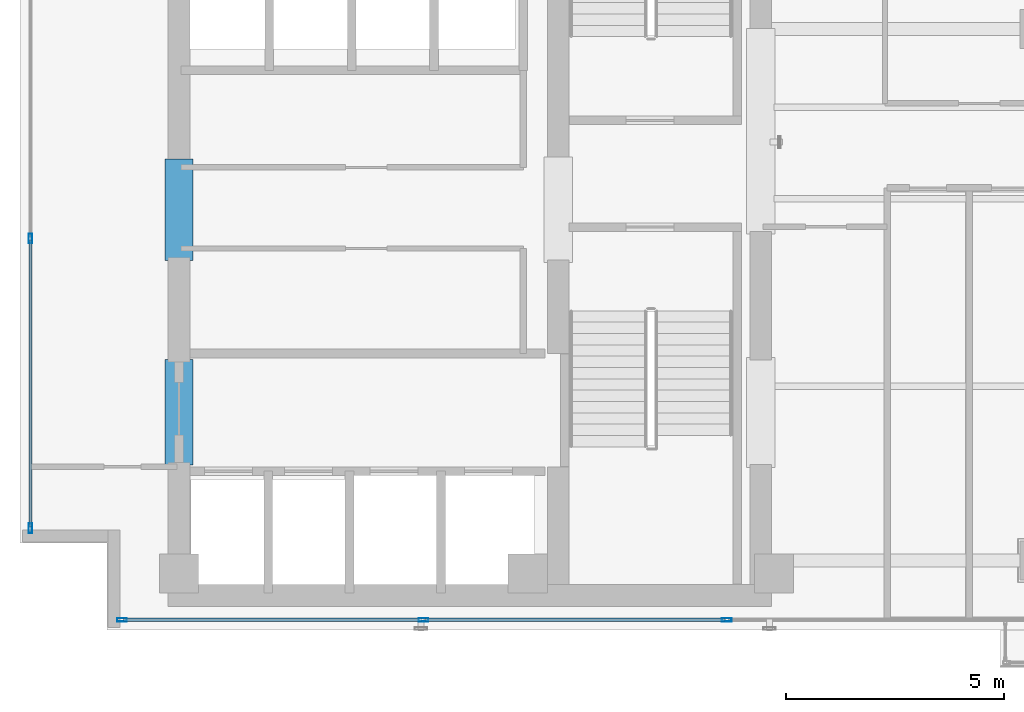
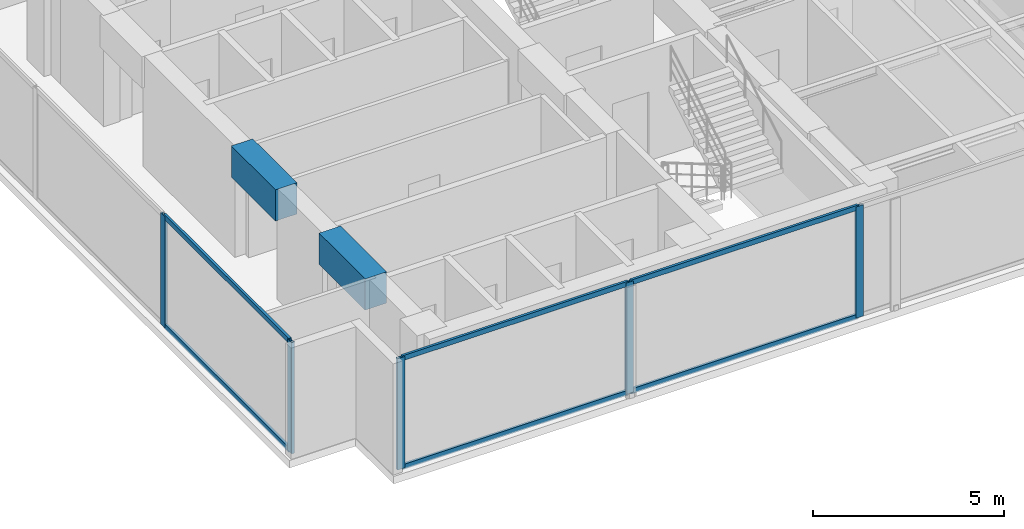
# One storey, part 2 of 22: 11 members, 2 beams, 2 elements without a shape of their own.
"""IFC4 building model written with IfcOpenShell, lengths in metres."""

from ifc_helpers import new_model, si_unit, direction, frame, origin, origin_with_axes, origin_2d, place, context, subcontext, project, spatial, rectangle, hollow_rectangle, extrude, source, transform, mapped, material, layer, layer_set, material_profile, profile_set, type_object, element, aggregate, save


model = new_model("IFC4")

# Units and contexts
model_context = context("Model", 3, precision=1e-05, world=origin(), true_north=direction((0.0, 1.0)))
body_context = subcontext(model_context, "Body", "Model", "MODEL_VIEW")
ifc_project = project(units=[si_unit("LENGTHUNIT", "METRE"), si_unit("AREAUNIT", "SQUARE_METRE"), si_unit("VOLUMEUNIT", "CUBIC_METRE"), si_unit("PLANEANGLEUNIT", "RADIAN"), si_unit("MASSUNIT", "GRAM", prefix="KILO")], contexts=[model_context])

# Site, building, storey
site_placement = place(None, origin())
site = spatial("IfcSite", under=ifc_project, at=site_placement, CompositionType="ELEMENT")
building_placement = place(site_placement, origin())
building = spatial("IfcBuilding", under=site, at=building_placement, Name="Kolvaren Waterfront Exchange", CompositionType="ELEMENT")
storey_placement = place(building_placement, frame((0.0, 0.0, 308.39990234375)))
storey = spatial("IfcBuildingStorey", under=building, at=storey_placement, Name="L79", CompositionType="ELEMENT", Elevation=308.39990234375)

# Beams
ifc_material_1 = material(Name="Concrete C60/75", Category="concrete")
ifc_material_profile_1 = material_profile(ifc_material_1, rectangle(XDim=0.64990234375, YDim=1.0, at=origin_2d()), Name="RC-CB-1000x650")
ifc_profile_set_1 = profile_set([ifc_material_profile_1], Name="Concrete C60/75")
beam_type = type_object("IfcBeamType", Name="STR-CB-1000", PredefinedType="SPANDREL", material=ifc_profile_set_1)
beam_1_placement = place(storey_placement, frame((7.449951171875, 7.389892578125, 3.06005859375), z_axis=(0.0, 1.0, 0.0), x_axis=(-1.0, 0.0, 0.0)))
element("IfcBeam", 1, at=beam_1_placement, inside=storey, type_object=beam_type, Name="L79 core coupling beam 3", PredefinedType="SPANDREL", context=body_context, shape_type="SweptSolid", body=[
    extrude(rectangle(XDim=0.64990234375, YDim=1.0, at=origin_2d()), origin(), (0.0, 0.0, 1.0), 2.420166015625),
])
beam_2_placement = place(storey_placement, frame((7.449951171875, 12.090087890625, 3.06005859375), z_axis=(0.0, 1.0, 0.0), x_axis=(-1.0, 0.0, 0.0)))
element("IfcBeam", 2, at=beam_2_placement, inside=storey, type_object=beam_type, Name="L79 core coupling beam 4", PredefinedType="SPANDREL", context=body_context, shape_type="SweptSolid", body=[
    extrude(rectangle(XDim=0.64990234375, YDim=1.0, at=origin_2d()), origin(), (0.0, 0.0, 1.0), 2.31982421875),
])

# Curtain wall, members
ifc_material_2 = material(Name="Anodised bronze aluminium 6063-T6", Category="aluminium")
ifc_layer_1 = layer(ifc_material_2, 0.219970703125, Name="Anodised bronze aluminium 6063-T6")
ifc_layer_set_1 = layer_set([ifc_layer_1], Name="Anodised bronze aluminium 6063-T6")
curtain_wall_type_1 = type_object("IfcCurtainWallType", Name="ARC-CW-SYS1", PredefinedType="USERDEFINED", material=ifc_layer_set_1)
curtain_wall_1_placement = place(storey_placement, origin())
curtain_wall_1 = element("IfcCurtainWall", 3, at=curtain_wall_1_placement, inside=storey, type_object=curtain_wall_type_1, Name="L79 stick curtain wall CW1 (CW-L79-S)", ObjectType="STICK CURTAIN WALL", PredefinedType="USERDEFINED")
ifc_material_3 = material(Name="Anodised aluminium 6063-T6", Category="aluminium")
ifc_material_profile_2 = material_profile(ifc_material_3, hollow_rectangle(XDim=0.080078125, YDim=0.219970703125, WallThickness=0.0048828125, at=origin_2d()), Name="ALU-MUL-220x80x5")
ifc_profile_set_2 = profile_set([ifc_material_profile_2], Name="Anodised aluminium 6063-T6")
member_type_1 = type_object("IfcMemberType", Name="ARC-CWM-220", PredefinedType="MULLION", material=ifc_profile_set_2)
shared_shape_1 = source(origin_with_axes(), body_context, "Body", "SweptSolid", [
    extrude(hollow_rectangle(XDim=0.080078125, YDim=0.219970703125, WallThickness=0.0048828125, at=origin_2d()), origin(), (0.0, 0.0, 1.0), 3.56005859375),
])
member_1_placement = place(storey_placement, frame((6.139892578125, 3.840087890625, 0.0), z_axis=(0.0, 0.0, 1.0), x_axis=(0.0, 1.0, 0.0)))
member_1 = element("IfcMember", 4, at=member_1_placement, type_object=member_type_1, Name="CW1 mullion 1", PredefinedType="MULLION", context=body_context, shape_type="MappedRepresentation", body=[
    mapped(shared_shape_1, transform((0.0, 0.0, 0.0), x_axis=(1.0, 0.0, 0.0), y_axis=(0.0, 1.0, 0.0), z_axis=(0.0, 0.0, 1.0), scale=1.0)),
])
member_2_placement = place(storey_placement, frame((13.0595703125, 3.840087890625, 0.0), z_axis=(0.0, 0.0, 1.0), x_axis=(0.0, 1.0, 0.0)))
member_2 = element("IfcMember", 5, at=member_2_placement, type_object=member_type_1, Name="CW1 mullion 2", PredefinedType="MULLION", context=body_context, shape_type="MappedRepresentation", body=[
    mapped(shared_shape_1, transform((0.0, 0.0, 0.0), x_axis=(1.0, 0.0, 0.0), y_axis=(0.0, 1.0, 0.0), z_axis=(0.0, 0.0, 1.0), scale=1.0)),
])
member_3_placement = place(storey_placement, frame((20.019287109375, 3.840087890625, 0.0), z_axis=(0.0, 0.0, 1.0), x_axis=(0.0, 1.0, 0.0)))
member_3 = element("IfcMember", 6, at=member_3_placement, type_object=member_type_1, Name="CW1 mullion 3", PredefinedType="MULLION", context=body_context, shape_type="MappedRepresentation", body=[
    mapped(shared_shape_1, transform((0.0, 0.0, 0.0), x_axis=(1.0, 0.0, 0.0), y_axis=(0.0, 1.0, 0.0), z_axis=(0.0, 0.0, 1.0), scale=1.0)),
])

ifc_layer_2 = layer(ifc_material_3, 0.219970703125, Name="Anodised aluminium 6063-T6")
ifc_layer_set_2 = layer_set([ifc_layer_2], Name="Anodised aluminium 6063-T6")
curtain_wall_type_2 = type_object("IfcCurtainWallType", Name="ARC-CW-SYS2", PredefinedType="USERDEFINED", material=ifc_layer_set_2)
curtain_wall_2_placement = place(storey_placement, origin())
curtain_wall_2 = element("IfcCurtainWall", 7, at=curtain_wall_2_placement, inside=storey, type_object=curtain_wall_type_2, Name="L79 stick curtain wall CW2 (CW-L79-W)", ObjectType="STICK CURTAIN WALL", PredefinedType="USERDEFINED")
member_4_placement = place(storey_placement, frame((4.0400390625, 5.93994140625, 0.0), z_axis=(0.0, 0.0, 1.0), x_axis=(-1.0, 0.0, 0.0)))
member_4 = element("IfcMember", 8, at=member_4_placement, type_object=member_type_1, Name="CW2 mullion 1", PredefinedType="MULLION", context=body_context, shape_type="MappedRepresentation", body=[
    mapped(shared_shape_1, transform((0.0, 0.0, 0.0), x_axis=(1.0, 0.0, 0.0), y_axis=(0.0, 1.0, 0.0), z_axis=(0.0, 0.0, 1.0), scale=1.0)),
])
member_5_placement = place(storey_placement, frame((4.0400390625, 12.593017578125, 0.0), z_axis=(0.0, 0.0, 1.0), x_axis=(-1.0, 0.0, 0.0)))
member_5 = element("IfcMember", 9, at=member_5_placement, type_object=member_type_1, Name="CW2 mullion 2", PredefinedType="MULLION", context=body_context, shape_type="MappedRepresentation", body=[
    mapped(shared_shape_1, transform((0.0, 0.0, 0.0), x_axis=(1.0, 0.0, 0.0), y_axis=(0.0, 1.0, 0.0), z_axis=(0.0, 0.0, 1.0), scale=1.0)),
])

# Member
ifc_material_profile_3 = material_profile(ifc_material_3, hollow_rectangle(XDim=0.074951171875, YDim=0.159912109375, WallThickness=0.00439453125, at=origin_2d()), Name="ALU-TRN-160x75x4.5")
ifc_profile_set_3 = profile_set([ifc_material_profile_3], Name="Anodised aluminium 6063-T6")
member_type_2 = type_object("IfcMemberType", Name="ARC-CWT-160", PredefinedType="USERDEFINED", material=ifc_profile_set_3)
shared_shape_2 = source(origin_with_axes(), body_context, "Body", "SweptSolid", [
    extrude(hollow_rectangle(XDim=0.074951171875, YDim=0.159912109375, WallThickness=0.00439453125, at=origin_2d()), origin(), (0.0, 0.0, 1.0), 6.839599609375),
])
member_6_placement = place(storey_placement, frame((6.179931640625, 3.840087890625, 0.03759765625), z_axis=(1.0, 0.0, 0.0), x_axis=(0.0, 1.0, 0.0)))
member_6 = element("IfcMember", 10, at=member_6_placement, type_object=member_type_2, Name="CW1 transom 1.1", ObjectType="TRANSOM", PredefinedType="USERDEFINED", context=body_context, shape_type="MappedRepresentation", body=[
    mapped(shared_shape_2, transform((0.0, 0.0, 0.0), x_axis=(1.0, 0.0, 0.0), y_axis=(0.0, 1.0, 0.0), z_axis=(0.0, 0.0, 1.0), scale=1.0)),
])

member_7_placement = place(storey_placement, frame((6.179931640625, 3.840087890625, 3.522705078125), z_axis=(1.0, 0.0, 0.0), x_axis=(0.0, 1.0, 0.0)))
member_7 = element("IfcMember", 11, at=member_7_placement, type_object=member_type_2, Name="CW1 transom 1.2", ObjectType="TRANSOM", PredefinedType="USERDEFINED", context=body_context, shape_type="MappedRepresentation", body=[
    mapped(shared_shape_2, transform((0.0, 0.0, 0.0), x_axis=(1.0, 0.0, 0.0), y_axis=(0.0, 1.0, 0.0), z_axis=(0.0, 0.0, 1.0), scale=1.0)),
])

shared_shape_3 = source(origin_with_axes(), body_context, "Body", "SweptSolid", [
    extrude(hollow_rectangle(XDim=0.074951171875, YDim=0.159912109375, WallThickness=0.00439453125, at=origin_2d()), origin(), (0.0, 0.0, 1.0), 6.879638671875),
])
member_8_placement = place(storey_placement, frame((13.099609375, 3.840087890625, 0.03759765625), z_axis=(1.0, 0.0, 0.0), x_axis=(0.0, 1.0, 0.0)))
member_8 = element("IfcMember", 12, at=member_8_placement, type_object=member_type_2, Name="CW1 transom 2.1", ObjectType="TRANSOM", PredefinedType="USERDEFINED", context=body_context, shape_type="MappedRepresentation", body=[
    mapped(shared_shape_3, transform((0.0, 0.0, 0.0), x_axis=(1.0, 0.0, 0.0), y_axis=(0.0, 1.0, 0.0), z_axis=(0.0, 0.0, 1.0), scale=1.0)),
])

member_9_placement = place(storey_placement, frame((13.099609375, 3.840087890625, 3.522705078125), z_axis=(1.0, 0.0, 0.0), x_axis=(0.0, 1.0, 0.0)))
member_9 = element("IfcMember", 13, at=member_9_placement, type_object=member_type_2, Name="CW1 transom 2.2", ObjectType="TRANSOM", PredefinedType="USERDEFINED", context=body_context, shape_type="MappedRepresentation", body=[
    mapped(shared_shape_3, transform((0.0, 0.0, 0.0), x_axis=(1.0, 0.0, 0.0), y_axis=(0.0, 1.0, 0.0), z_axis=(0.0, 0.0, 1.0), scale=1.0)),
])

aggregate(curtain_wall_1, [member_1, member_2, member_3, member_6, member_7, member_8, member_9])

shared_shape_4 = source(origin_with_axes(), body_context, "Body", "SweptSolid", [
    extrude(hollow_rectangle(XDim=0.074951171875, YDim=0.159912109375, WallThickness=0.00439453125, at=origin_2d()), origin(), (0.0, 0.0, 1.0), 6.572998046875),
])
member_10_placement = place(storey_placement, frame((4.0400390625, 5.97998046875, 0.03759765625), z_axis=(0.0, 1.0, 0.0), x_axis=(-1.0, 0.0, 0.0)))
member_10 = element("IfcMember", 14, at=member_10_placement, type_object=member_type_2, Name="CW2 transom 1.1", ObjectType="TRANSOM", PredefinedType="USERDEFINED", context=body_context, shape_type="MappedRepresentation", body=[
    mapped(shared_shape_4, transform((0.0, 0.0, 0.0), x_axis=(1.0, 0.0, 0.0), y_axis=(0.0, 1.0, 0.0), z_axis=(0.0, 0.0, 1.0), scale=1.0)),
])

member_11_placement = place(storey_placement, frame((4.0400390625, 5.97998046875, 3.522705078125), z_axis=(0.0, 1.0, 0.0), x_axis=(-1.0, 0.0, 0.0)))
member_11 = element("IfcMember", 15, at=member_11_placement, type_object=member_type_2, Name="CW2 transom 1.2", ObjectType="TRANSOM", PredefinedType="USERDEFINED", context=body_context, shape_type="MappedRepresentation", body=[
    mapped(shared_shape_4, transform((0.0, 0.0, 0.0), x_axis=(1.0, 0.0, 0.0), y_axis=(0.0, 1.0, 0.0), z_axis=(0.0, 0.0, 1.0), scale=1.0)),
])

aggregate(curtain_wall_2, [member_4, member_5, member_10, member_11])

save(model, "model.ifc")
